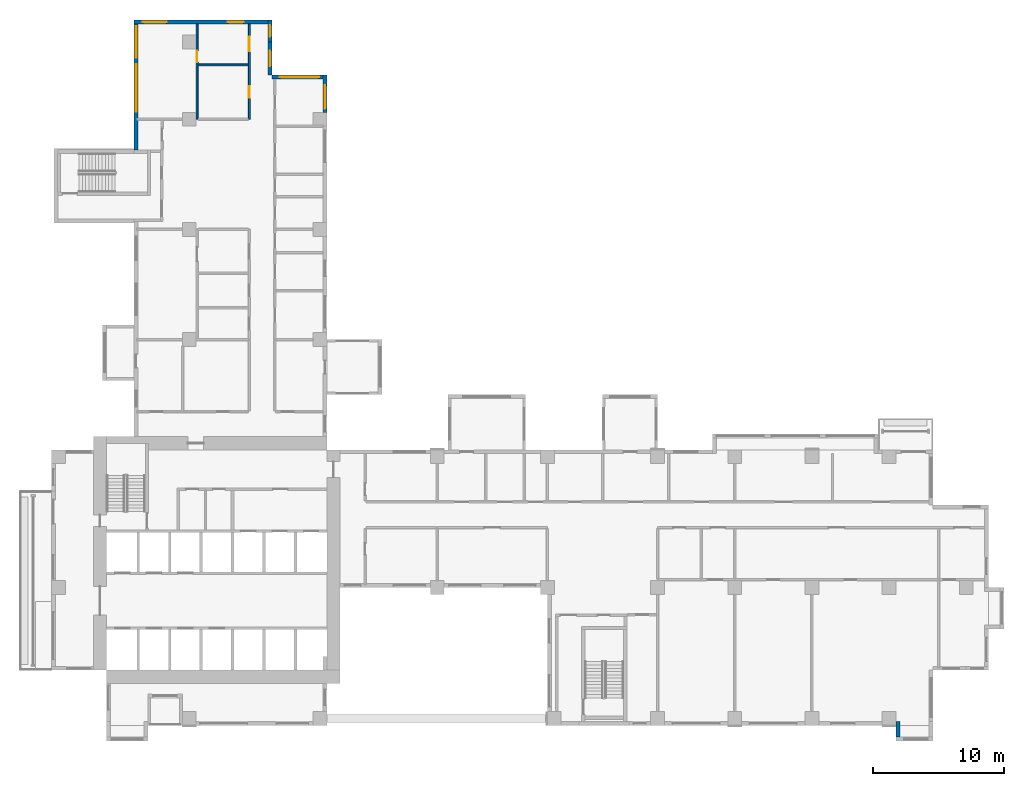
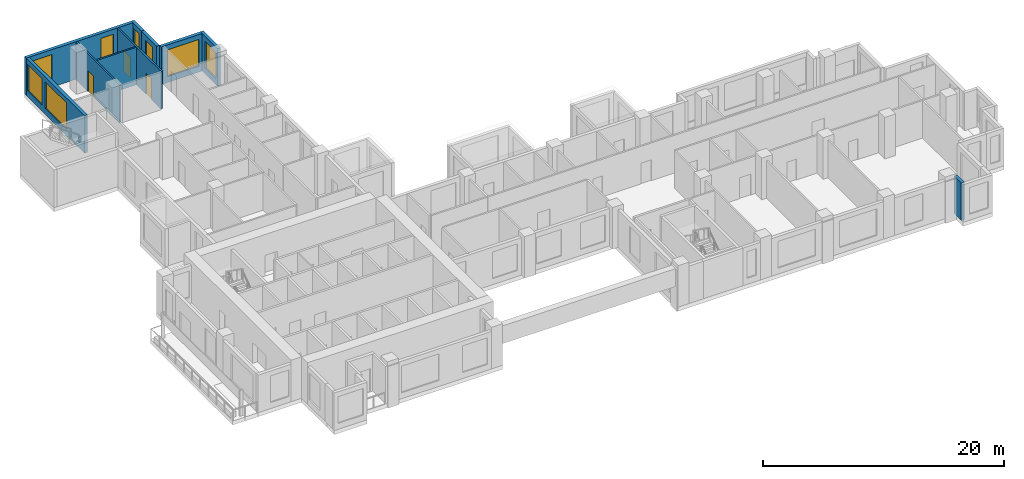
# One storey, part 7 of 14: 10 walls, 8 windows, 3 doors, 11 openings.
"""IFC4 building model written with IfcOpenShell, lengths in metres."""

from ifc_helpers import new_model, si_unit, direction, frame, frame_2d, origin, place, context, subcontext, project, spatial, rectangle, extrude, source, transform, mapped, material, layer, layer_set, type_object, element, fill, save


model = new_model("IFC4")

# Units and contexts
model_context = context("Model", 3, precision=1e-05, world=origin(), true_north=direction((0.0, 1.0)))
body_context = subcontext(model_context, "Body", "Model", "MODEL_VIEW")
ifc_project = project(units=[si_unit("LENGTHUNIT", "METRE"), si_unit("AREAUNIT", "SQUARE_METRE"), si_unit("VOLUMEUNIT", "CUBIC_METRE"), si_unit("PLANEANGLEUNIT", "RADIAN"), si_unit("MASSUNIT", "GRAM", prefix="KILO")], contexts=[model_context])

# Site, building, storey
site_placement = place(None, origin())
site = spatial("IfcSite", under=ifc_project, at=site_placement, CompositionType="ELEMENT")
building_placement = place(site_placement, origin())
building = spatial("IfcBuilding", under=site, at=building_placement, Name="Aurelian Terraces", CompositionType="ELEMENT")
storey_placement = place(building_placement, frame((0.0, 0.0, 153.9)))
storey = spatial("IfcBuildingStorey", under=building, at=storey_placement, Name="L34", CompositionType="ELEMENT", Elevation=153.9)

# Wall, opening, window
ifc_material_1 = material(Name="Terracotta rainscreen cladding", Category="masonry")
ifc_layer_1 = layer(ifc_material_1, 0.3)
ifc_layer_set_1 = layer_set([ifc_layer_1], Name="EW-300")
wall_type_1 = type_object("IfcWallType", Name="EW-300", PredefinedType="STANDARD", material=ifc_layer_set_1)
shared_shape_1 = source(origin(), body_context, "Body", "SweptSolid", [
    extrude(rectangle(XDim=4.2, YDim=0.3, at=frame_2d((2.1, 0.0))), origin(), (0.0, 0.0, 1.0), 3.8),
])
wall_1_placement = place(storey_placement, frame((21.0, 49.41, 0.0), z_axis=(0.0, 0.0, 1.0), x_axis=(-1.0, 0.0, 0.0)))
wall_1 = element("IfcWall", 1, at=wall_1_placement, inside=storey, type_object=wall_type_1, Name="External wall L34 F13.30", PredefinedType="STANDARD", context=body_context, shape_type="MappedRepresentation", body=[
    mapped(shared_shape_1, transform((0.0, 0.0, 0.0), scale=1.0)),
])
shared_shape_2 = source(origin(), body_context, "Body", "SweptSolid", [
    extrude(rectangle(XDim=3.0, YDim=2.7, at=frame_2d((1.5, 1.35))), frame((0.0, 0.16, 0.0), z_axis=(0.0, -1.0, 0.0), x_axis=(1.0, 0.0, 0.0)), (0.0, 0.0, 1.0), 0.32),
])
opening_1_placement = place(wall_1_placement, frame((0.6, 0.0, 0.6)))
opening_1 = element("IfcOpeningElement", 2, at=opening_1_placement, cuts=wall_1, Name="Opening W3027", PredefinedType="OPENING", context=body_context, shape_type="MappedRepresentation", body=[
    mapped(shared_shape_2, transform((0.0, 0.0, 0.0), scale=1.0)),
])
ifc_material_2 = material(Name="Clear glazing", Category="glass")
window_type_1 = type_object("IfcWindowType", Name="W-3000x2700", PartitioningType="SINGLE_PANEL", PredefinedType="WINDOW", material=ifc_material_2)
shared_shape_3 = source(origin(), body_context, "Body", "SweptSolid", [
    extrude(rectangle(XDim=3.0, YDim=2.7, at=frame_2d((1.5, 1.35))), frame((0.0, 0.03, 0.0), z_axis=(0.0, -1.0, 0.0), x_axis=(1.0, 0.0, 0.0)), (0.0, 0.0, 1.0), 0.06),
])
window_1_placement = place(opening_1_placement, origin())
window_1 = element("IfcWindow", 3, at=window_1_placement, inside=storey, type_object=window_type_1, Name="Window L34 L34-F13-30-0", OverallHeight=2.7, OverallWidth=3.0, PartitioningType="SINGLE_PANEL", PredefinedType="WINDOW", context=body_context, shape_type="MappedRepresentation", body=[
    mapped(shared_shape_3, transform((0.0, 0.0, 0.0), scale=1.0)),
])
fill(opening_1, window_1)

# Wall
shared_shape_4 = source(origin(), body_context, "Body", "SweptSolid", [
    extrude(rectangle(XDim=1.2, YDim=0.3, at=frame_2d((0.6, 0.0))), origin(), (0.0, 0.0, 1.0), 3.8),
])
wall_2_placement = place(storey_placement, frame((64.515, 0.3, 0.0), z_axis=(0.0, 0.0, 1.0), x_axis=(0.0, -1.0, 0.0)))
element("IfcWall", 4, at=wall_2_placement, inside=storey, type_object=wall_type_1, Name="Bay return L34 F05.13.1", PredefinedType="STANDARD", context=body_context, shape_type="MappedRepresentation", body=[
    mapped(shared_shape_4, transform((0.0, 0.0, 0.0), scale=1.0)),
])

# Wall, opening, window
shared_shape_5 = source(origin(), body_context, "Body", "SweptSolid", [
    extrude(rectangle(XDim=2.52, YDim=0.3, at=frame_2d((1.26, 0.0))), origin(), (0.0, 0.0, 1.0), 3.8),
])
wall_3_placement = place(storey_placement, frame((16.65, 49.56, 0.0), z_axis=(0.0, 0.0, 1.0), x_axis=(0.0, 1.0, 0.0)))
wall_3 = element("IfcWall", 5, at=wall_3_placement, inside=storey, type_object=wall_type_1, Name="External wall L34 F14.31", PredefinedType="STANDARD", context=body_context, shape_type="MappedRepresentation", body=[
    mapped(shared_shape_5, transform((0.0, 0.0, 0.0), scale=1.0)),
])
shared_shape_6 = source(origin(), body_context, "Body", "SweptSolid", [
    extrude(rectangle(XDim=1.2, YDim=2.7, at=frame_2d((0.6, 1.35))), frame((0.0, 0.16, 0.0), z_axis=(0.0, -1.0, 0.0), x_axis=(1.0, 0.0, 0.0)), (0.0, 0.0, 1.0), 0.32),
])
opening_2_placement = place(wall_3_placement, frame((0.66, 0.0, 0.6)))
opening_2 = element("IfcOpeningElement", 6, at=opening_2_placement, cuts=wall_3, Name="Opening W1227", PredefinedType="OPENING", context=body_context, shape_type="MappedRepresentation", body=[
    mapped(shared_shape_6, transform((0.0, 0.0, 0.0), scale=1.0)),
])
window_type_2 = type_object("IfcWindowType", Name="W-1200x2700", PartitioningType="SINGLE_PANEL", PredefinedType="WINDOW", material=ifc_material_2)
shared_shape_7 = source(origin(), body_context, "Body", "SweptSolid", [
    extrude(rectangle(XDim=1.2, YDim=2.7, at=frame_2d((0.6, 1.35))), frame((0.0, 0.03, 0.0), z_axis=(0.0, -1.0, 0.0), x_axis=(1.0, 0.0, 0.0)), (0.0, 0.0, 1.0), 0.06),
])
window_2_placement = place(opening_2_placement, origin())
window_2 = element("IfcWindow", 7, at=window_2_placement, inside=storey, type_object=window_type_2, Name="Window L34 L34-F14-31-0", OverallHeight=2.7, OverallWidth=1.2, PartitioningType="SINGLE_PANEL", PredefinedType="WINDOW", context=body_context, shape_type="MappedRepresentation", body=[
    mapped(shared_shape_7, transform((0.0, 0.0, 0.0), scale=1.0)),
])
fill(opening_2, window_2)

shared_shape_8 = source(origin(), body_context, "Body", "SweptSolid", [
    extrude(rectangle(XDim=1.68, YDim=0.3, at=frame_2d((0.84, 0.0))), origin(), (0.0, 0.0, 1.0), 3.8),
])
wall_4_placement = place(storey_placement, frame((16.65, 52.08, 0.0), z_axis=(0.0, 0.0, 1.0), x_axis=(0.0, 1.0, 0.0)))
wall_4 = element("IfcWall", 8, at=wall_4_placement, inside=storey, type_object=wall_type_1, Name="External wall L34 F14.32", PredefinedType="STANDARD", context=body_context, shape_type="MappedRepresentation", body=[
    mapped(shared_shape_8, transform((0.0, 0.0, 0.0), scale=1.0)),
])
shared_shape_9 = source(origin(), body_context, "Body", "SweptSolid", [
    extrude(rectangle(XDim=0.9, YDim=2.7, at=frame_2d((0.45, 1.35))), frame((0.0, 0.16, 0.0), z_axis=(0.0, -1.0, 0.0), x_axis=(1.0, 0.0, 0.0)), (0.0, 0.0, 1.0), 0.32),
])
opening_3_placement = place(wall_4_placement, frame((0.39, 0.0, 0.6)))
opening_3 = element("IfcOpeningElement", 9, at=opening_3_placement, cuts=wall_4, Name="Opening W0927", PredefinedType="OPENING", context=body_context, shape_type="MappedRepresentation", body=[
    mapped(shared_shape_9, transform((0.0, 0.0, 0.0), scale=1.0)),
])
window_type_3 = type_object("IfcWindowType", Name="W-900x2700", PartitioningType="SINGLE_PANEL", PredefinedType="WINDOW", material=ifc_material_2)
shared_shape_10 = source(origin(), body_context, "Body", "SweptSolid", [
    extrude(rectangle(XDim=0.9, YDim=2.7, at=frame_2d((0.45, 1.35))), frame((0.0, 0.03, 0.0), z_axis=(0.0, -1.0, 0.0), x_axis=(1.0, 0.0, 0.0)), (0.0, 0.0, 1.0), 0.06),
])
window_3_placement = place(opening_3_placement, origin())
window_3 = element("IfcWindow", 10, at=window_3_placement, inside=storey, type_object=window_type_3, Name="Window L34 L34-F14-32-P0", OverallHeight=2.7, OverallWidth=0.9, PartitioningType="SINGLE_PANEL", PredefinedType="WINDOW", context=body_context, shape_type="MappedRepresentation", body=[
    mapped(shared_shape_10, transform((0.0, 0.0, 0.0), scale=1.0)),
])
fill(opening_3, window_3)

shared_shape_11 = source(origin(), body_context, "Body", "SweptSolid", [
    extrude(rectangle(XDim=2.835, YDim=0.3, at=frame_2d((1.4175, 0.0))), origin(), (0.0, 0.0, 1.0), 3.8),
])
wall_5_placement = place(storey_placement, frame((20.85, 46.725, 0.0), z_axis=(0.0, 0.0, 1.0), x_axis=(0.0, 1.0, 0.0)))
wall_5 = element("IfcWall", 11, at=wall_5_placement, inside=storey, type_object=wall_type_1, Name="External wall L34 F12.29", PredefinedType="STANDARD", context=body_context, shape_type="MappedRepresentation", body=[
    mapped(shared_shape_11, transform((0.0, 0.0, 0.0), scale=1.0)),
])
shared_shape_12 = source(origin(), body_context, "Body", "SweptSolid", [
    extrude(rectangle(XDim=1.8, YDim=2.7, at=frame_2d((0.9, 1.35))), frame((0.0, 0.16, 0.0), z_axis=(0.0, -1.0, 0.0), x_axis=(1.0, 0.0, 0.0)), (0.0, 0.0, 1.0), 0.32),
])
opening_4_placement = place(wall_5_placement, frame((0.255, 0.0, 0.6)))
opening_4 = element("IfcOpeningElement", 12, at=opening_4_placement, cuts=wall_5, Name="Opening W1827", PredefinedType="OPENING", context=body_context, shape_type="MappedRepresentation", body=[
    mapped(shared_shape_12, transform((0.0, 0.0, 0.0), scale=1.0)),
])
window_type_4 = type_object("IfcWindowType", Name="W-1800x2700", PartitioningType="SINGLE_PANEL", PredefinedType="WINDOW", material=ifc_material_2)
shared_shape_13 = source(origin(), body_context, "Body", "SweptSolid", [
    extrude(rectangle(XDim=1.8, YDim=2.7, at=frame_2d((0.9, 1.35))), frame((0.0, 0.03, 0.0), z_axis=(0.0, -1.0, 0.0), x_axis=(1.0, 0.0, 0.0)), (0.0, 0.0, 1.0), 0.06),
])
window_4_placement = place(opening_4_placement, origin())
window_4 = element("IfcWindow", 13, at=window_4_placement, inside=storey, type_object=window_type_4, Name="Window L34 L34-F12-29-0", OverallHeight=2.7, OverallWidth=1.8, PartitioningType="SINGLE_PANEL", PredefinedType="WINDOW", context=body_context, shape_type="MappedRepresentation", body=[
    mapped(shared_shape_13, transform((0.0, 0.0, 0.0), scale=1.0)),
])
fill(opening_4, window_4)

# Wall, openings, windows
shared_shape_14 = source(origin(), body_context, "Body", "SweptSolid", [
    extrude(rectangle(XDim=10.5, YDim=0.3, at=frame_2d((5.25, 0.0))), origin(), (0.0, 0.0, 1.0), 3.8),
])
wall_6_placement = place(storey_placement, frame((16.8, 53.61, 0.0), z_axis=(0.0, 0.0, 1.0), x_axis=(-1.0, 0.0, 0.0)))
wall_6 = element("IfcWall", 14, at=wall_6_placement, inside=storey, type_object=wall_type_1, Name="External wall L34 F15.33", PredefinedType="STANDARD", context=body_context, shape_type="MappedRepresentation", body=[
    mapped(shared_shape_14, transform((0.0, 0.0, 0.0), scale=1.0)),
])
opening_5_placement = place(wall_6_placement, frame((2.15, 0.0, 0.6)))
opening_5 = element("IfcOpeningElement", 15, at=opening_5_placement, cuts=wall_6, Name="Opening W1227", PredefinedType="OPENING", context=body_context, shape_type="MappedRepresentation", body=[
    mapped(shared_shape_6, transform((0.0, 0.0, 0.0), scale=1.0)),
])
opening_6_placement = place(wall_6_placement, frame((8.025, 0.0, 0.6)))
opening_6 = element("IfcOpeningElement", 16, at=opening_6_placement, cuts=wall_6, Name="Opening W1827", PredefinedType="OPENING", context=body_context, shape_type="MappedRepresentation", body=[
    mapped(shared_shape_12, transform((0.0, 0.0, 0.0), scale=1.0)),
])
window_5_placement = place(opening_6_placement, origin())
window_5 = element("IfcWindow", 17, at=window_5_placement, inside=storey, type_object=window_type_4, Name="Window L34 L34-F15-33-2", OverallHeight=2.7, OverallWidth=1.8, PartitioningType="SINGLE_PANEL", PredefinedType="WINDOW", context=body_context, shape_type="MappedRepresentation", body=[
    mapped(shared_shape_13, transform((0.0, 0.0, 0.0), scale=1.0)),
])
fill(opening_6, window_5)
window_6_placement = place(opening_5_placement, origin())
window_6 = element("IfcWindow", 18, at=window_6_placement, inside=storey, type_object=window_type_2, Name="Window L34 L34-F15-33-0", OverallHeight=2.7, OverallWidth=1.2, PartitioningType="SINGLE_PANEL", PredefinedType="WINDOW", context=body_context, shape_type="MappedRepresentation", body=[
    mapped(shared_shape_7, transform((0.0, 0.0, 0.0), scale=1.0)),
])
fill(opening_5, window_6)

shared_shape_15 = source(origin(), body_context, "Body", "SweptSolid", [
    extrude(rectangle(XDim=9.91, YDim=0.3, at=frame_2d((4.955, 0.0))), origin(), (0.0, 0.0, 1.0), 3.8),
])
wall_7_placement = place(storey_placement, frame((6.45, 53.76, 0.0), z_axis=(0.0, 0.0, 1.0), x_axis=(0.0, -1.0, 0.0)))
wall_7 = element("IfcWall", 19, at=wall_7_placement, inside=storey, type_object=wall_type_1, Name="External wall L34 F16.34", PredefinedType="STANDARD", context=body_context, shape_type="MappedRepresentation", body=[
    mapped(shared_shape_15, transform((0.0, 0.0, 0.0), scale=1.0)),
])
shared_shape_16 = source(origin(), body_context, "Body", "SweptSolid", [
    extrude(rectangle(XDim=3.6, YDim=2.7, at=frame_2d((1.8, 1.35))), frame((0.0, 0.16, 0.0), z_axis=(0.0, -1.0, 0.0), x_axis=(1.0, 0.0, 0.0)), (0.0, 0.0, 1.0), 0.32),
])
opening_7_placement = place(wall_7_placement, frame((3.39, 0.0, 0.6)))
opening_7 = element("IfcOpeningElement", 20, at=opening_7_placement, cuts=wall_7, Name="Opening W3627", PredefinedType="OPENING", context=body_context, shape_type="MappedRepresentation", body=[
    mapped(shared_shape_16, transform((0.0, 0.0, 0.0), scale=1.0)),
])
shared_shape_17 = source(origin(), body_context, "Body", "SweptSolid", [
    extrude(rectangle(XDim=2.4, YDim=2.7, at=frame_2d((1.2, 1.35))), frame((0.0, 0.16, 0.0), z_axis=(0.0, -1.0, 0.0), x_axis=(1.0, 0.0, 0.0)), (0.0, 0.0, 1.0), 0.32),
])
opening_8_placement = place(wall_7_placement, frame((0.495, 0.0, 0.6)))
opening_8 = element("IfcOpeningElement", 21, at=opening_8_placement, cuts=wall_7, Name="Opening W2427", PredefinedType="OPENING", context=body_context, shape_type="MappedRepresentation", body=[
    mapped(shared_shape_17, transform((0.0, 0.0, 0.0), scale=1.0)),
])
window_type_5 = type_object("IfcWindowType", Name="W-3600x2700", PartitioningType="SINGLE_PANEL", PredefinedType="WINDOW", material=ifc_material_2)
shared_shape_18 = source(origin(), body_context, "Body", "SweptSolid", [
    extrude(rectangle(XDim=3.6, YDim=2.7, at=frame_2d((1.8, 1.35))), frame((0.0, 0.03, 0.0), z_axis=(0.0, -1.0, 0.0), x_axis=(1.0, 0.0, 0.0)), (0.0, 0.0, 1.0), 0.06),
])
window_7_placement = place(opening_7_placement, origin())
window_7 = element("IfcWindow", 22, at=window_7_placement, inside=storey, type_object=window_type_5, Name="Window L34 L34-F16-34-1", OverallHeight=2.7, OverallWidth=3.6, PartitioningType="SINGLE_PANEL", PredefinedType="WINDOW", context=body_context, shape_type="MappedRepresentation", body=[
    mapped(shared_shape_18, transform((0.0, 0.0, 0.0), scale=1.0)),
])
fill(opening_7, window_7)
window_type_6 = type_object("IfcWindowType", Name="W-2400x2700", PartitioningType="SINGLE_PANEL", PredefinedType="WINDOW", material=ifc_material_2)
shared_shape_19 = source(origin(), body_context, "Body", "SweptSolid", [
    extrude(rectangle(XDim=2.4, YDim=2.7, at=frame_2d((1.2, 1.35))), frame((0.0, 0.03, 0.0), z_axis=(0.0, -1.0, 0.0), x_axis=(1.0, 0.0, 0.0)), (0.0, 0.0, 1.0), 0.06),
])
window_8_placement = place(opening_8_placement, origin())
window_8 = element("IfcWindow", 23, at=window_8_placement, inside=storey, type_object=window_type_6, Name="Window L34 L34-F16-34-G0-0", OverallHeight=2.7, OverallWidth=2.4, PartitioningType="SINGLE_PANEL", PredefinedType="WINDOW", context=body_context, shape_type="MappedRepresentation", body=[
    mapped(shared_shape_19, transform((0.0, 0.0, 0.0), scale=1.0)),
])
fill(opening_8, window_8)

# Wall, opening, door
ifc_material_3 = material(Name="Gypsum board on steel studs", Category="steel")
ifc_layer_2 = layer(ifc_material_3, 0.15)
ifc_layer_set_2 = layer_set([ifc_layer_2], Name="Partition 150")
wall_type_2 = type_object("IfcWallType", Name="Partition 150", PredefinedType="PARTITIONING", material=ifc_layer_set_2)
shared_shape_20 = source(origin(), body_context, "Body", "SweptSolid", [
    extrude(rectangle(XDim=7.26, YDim=0.15, at=frame_2d((3.63, 0.0))), origin(), (0.0, 0.0, 1.0), 3.8),
])
wall_8_placement = place(storey_placement, frame((11.1, 46.2, 0.0), z_axis=(0.0, 0.0, 1.0), x_axis=(0.0, 1.0, 0.0)))
wall_8 = element("IfcWall", 24, at=wall_8_placement, inside=storey, type_object=wall_type_2, Name="Partition", PredefinedType="PARTITIONING", context=body_context, shape_type="MappedRepresentation", body=[
    mapped(shared_shape_20, transform((0.0, 0.0, 0.0), scale=1.0)),
])
shared_shape_21 = source(origin(), body_context, "Body", "SweptSolid", [
    extrude(rectangle(XDim=0.9, YDim=2.1, at=frame_2d((0.45, 1.05))), frame((0.0, 0.085, 0.0), z_axis=(0.0, -1.0, 0.0), x_axis=(1.0, 0.0, 0.0)), (0.0, 0.0, 1.0), 0.17),
])
opening_9_placement = place(wall_8_placement, frame((4.3317, 0.0, 0.0)))
opening_9 = element("IfcOpeningElement", 25, at=opening_9_placement, cuts=wall_8, Name="Opening 734030", PredefinedType="OPENING", context=body_context, shape_type="MappedRepresentation", body=[
    mapped(shared_shape_21, transform((0.0, 0.0, 0.0), scale=1.0)),
])
ifc_material_4 = material(Name="Timber door leaf", Category="wood")
door_type_1 = type_object("IfcDoorType", Name="Room door 900x2100 right", OperationType="SINGLE_SWING_RIGHT", PredefinedType="DOOR", material=ifc_material_4)
shared_shape_22 = source(origin(), body_context, "Body", "SweptSolid", [
    extrude(rectangle(XDim=0.9, YDim=2.1, at=frame_2d((0.45, 1.05))), frame((0.0, 0.025, 0.0), z_axis=(0.0, -1.0, 0.0), x_axis=(1.0, 0.0, 0.0)), (0.0, 0.0, 1.0), 0.05),
])
door_1_placement = place(opening_9_placement, origin())
door_1 = element("IfcDoor", 26, at=door_1_placement, inside=storey, type_object=door_type_1, Name="Door 734030", OperationType="SINGLE_SWING_RIGHT", OverallHeight=2.1, OverallWidth=0.9, PredefinedType="DOOR", context=body_context, shape_type="MappedRepresentation", body=[
    mapped(shared_shape_22, transform((0.0, 0.0, 0.0), scale=1.0)),
])
fill(opening_9, door_1)

# Wall, openings, doors
ifc_layer_3 = layer(ifc_material_3, 0.15)
ifc_layer_set_3 = layer_set([ifc_layer_3], Name="Fire partition 150")
wall_type_3 = type_object("IfcWallType", Name="Fire partition 150", PredefinedType="PARTITIONING", material=ifc_layer_set_3)
wall_9_placement = place(storey_placement, frame((15.075, 46.2, 0.0), z_axis=(0.0, 0.0, 1.0), x_axis=(0.0, 1.0, 0.0)))
wall_9 = element("IfcWall", 27, at=wall_9_placement, inside=storey, type_object=wall_type_3, Name="Corridor wall", PredefinedType="PARTITIONING", context=body_context, shape_type="MappedRepresentation", body=[
    mapped(shared_shape_20, transform((0.0, 0.0, 0.0), scale=1.0)),
])
shared_shape_23 = source(origin(), body_context, "Body", "SweptSolid", [
    extrude(rectangle(XDim=1.1, YDim=2.1, at=frame_2d((0.55, 1.05))), frame((0.0, 0.085, 0.0), z_axis=(0.0, -1.0, 0.0), x_axis=(1.0, 0.0, 0.0)), (0.0, 0.0, 1.0), 0.17),
])
opening_10_placement = place(wall_9_placement, frame((5.1842, 0.0, 0.0)))
opening_10 = element("IfcOpeningElement", 28, at=opening_10_placement, cuts=wall_9, Name="Opening 734029", PredefinedType="OPENING", context=body_context, shape_type="MappedRepresentation", body=[
    mapped(shared_shape_23, transform((0.0, 0.0, 0.0), scale=1.0)),
])
opening_11_placement = place(wall_9_placement, frame((1.6167, 0.0, 0.0)))
opening_11 = element("IfcOpeningElement", 29, at=opening_11_placement, cuts=wall_9, Name="Opening 734031", PredefinedType="OPENING", context=body_context, shape_type="MappedRepresentation", body=[
    mapped(shared_shape_21, transform((0.0, 0.0, 0.0), scale=1.0)),
])
door_type_2 = type_object("IfcDoorType", Name="Room door 900x2100 left", OperationType="SINGLE_SWING_LEFT", PredefinedType="DOOR", material=ifc_material_4)
door_2_placement = place(opening_11_placement, origin())
door_2 = element("IfcDoor", 30, at=door_2_placement, inside=storey, type_object=door_type_2, Name="Door 734031", OperationType="SINGLE_SWING_LEFT", OverallHeight=2.1, OverallWidth=0.9, PredefinedType="DOOR", context=body_context, shape_type="MappedRepresentation", body=[
    mapped(shared_shape_22, transform((0.0, 0.0, 0.0), scale=1.0)),
])
fill(opening_11, door_2)
door_type_3 = type_object("IfcDoorType", Name="Room door 1100x2100 left", OperationType="SINGLE_SWING_LEFT", PredefinedType="DOOR", material=ifc_material_4)
shared_shape_24 = source(origin(), body_context, "Body", "SweptSolid", [
    extrude(rectangle(XDim=1.1, YDim=2.1, at=frame_2d((0.55, 1.05))), frame((0.0, 0.025, 0.0), z_axis=(0.0, -1.0, 0.0), x_axis=(1.0, 0.0, 0.0)), (0.0, 0.0, 1.0), 0.05),
])
door_3_placement = place(opening_10_placement, origin())
door_3 = element("IfcDoor", 31, at=door_3_placement, inside=storey, type_object=door_type_3, Name="Door 734029", OperationType="SINGLE_SWING_LEFT", OverallHeight=2.1, OverallWidth=1.1, PredefinedType="DOOR", context=body_context, shape_type="MappedRepresentation", body=[
    mapped(shared_shape_24, transform((0.0, 0.0, 0.0), scale=1.0)),
])
fill(opening_10, door_3)

# Wall
shared_shape_25 = source(origin(), body_context, "Body", "SweptSolid", [
    extrude(rectangle(XDim=3.825, YDim=0.15, at=frame_2d((1.9125, 0.0))), origin(), (0.0, 0.0, 1.0), 3.8),
])
wall_10_placement = place(storey_placement, frame((15.0, 50.3335, 0.0), z_axis=(0.0, 0.0, 1.0), x_axis=(-1.0, 0.0, 0.0)))
element("IfcWall", 32, at=wall_10_placement, inside=storey, type_object=wall_type_2, Name="Partition", PredefinedType="PARTITIONING", context=body_context, shape_type="MappedRepresentation", body=[
    mapped(shared_shape_25, transform((0.0, 0.0, 0.0), scale=1.0)),
])

save(model, "model.ifc")
